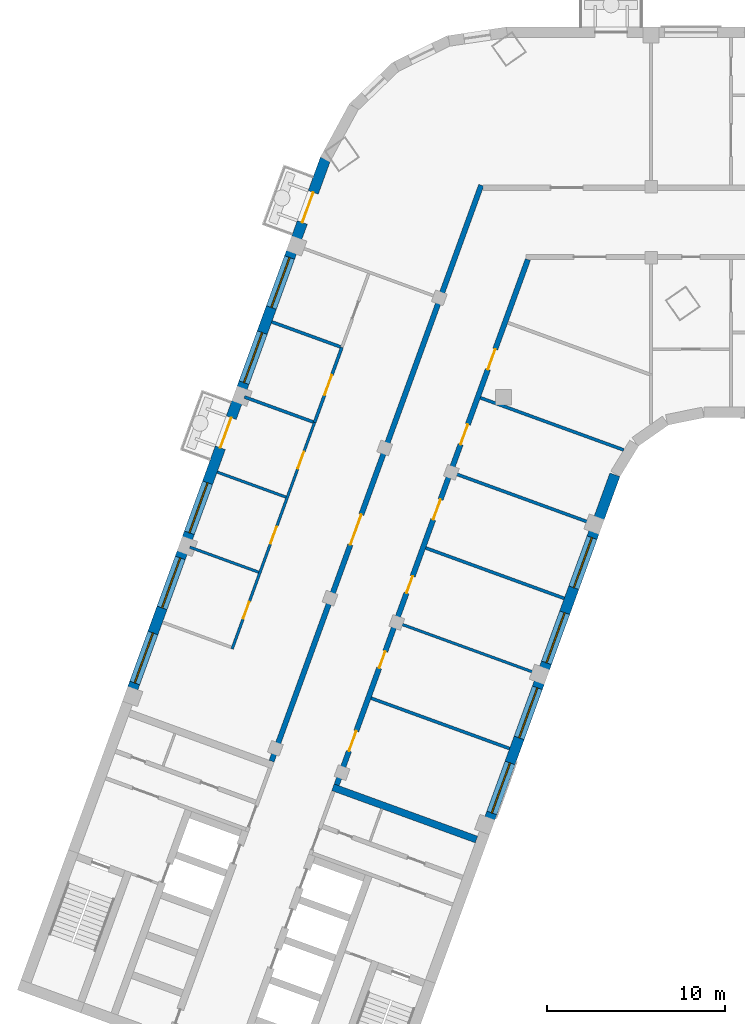
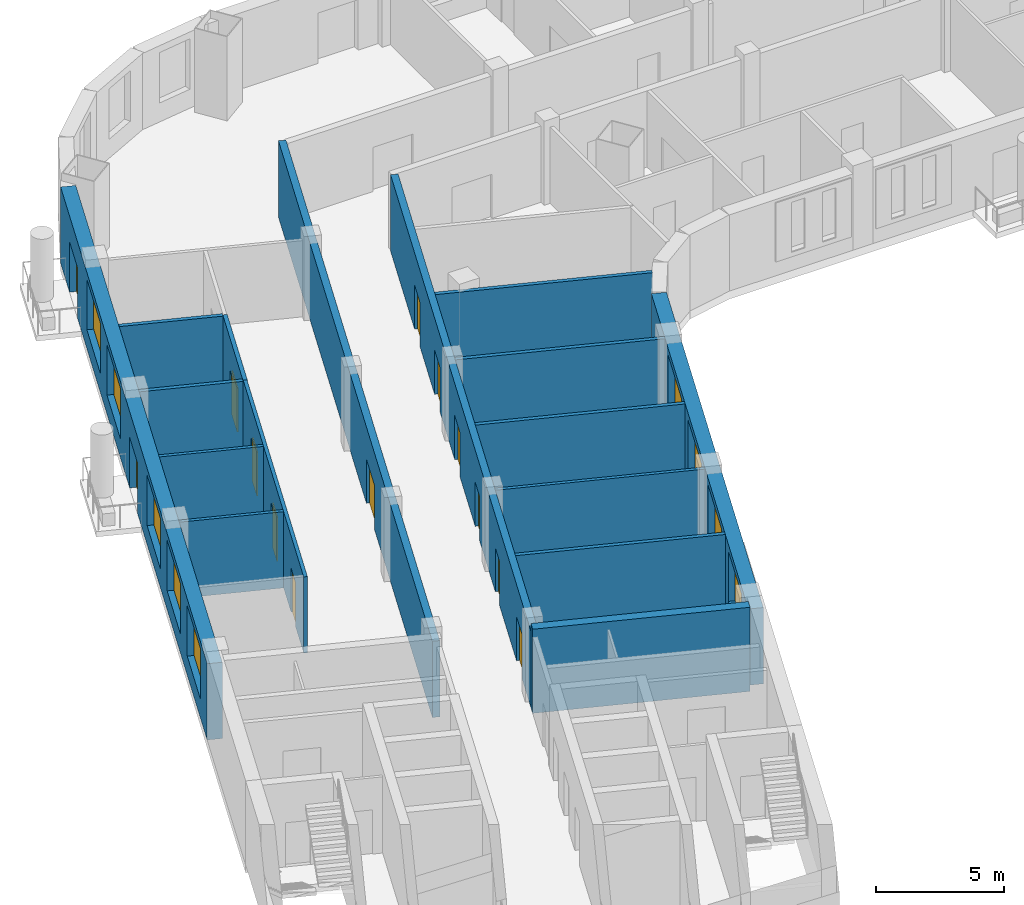
# One storey, part 3 of 15: 16 walls, 13 doors, 9 windows, 22 openings.
"""IFC4 building model written with IfcOpenShell, lengths in metres."""

from ifc_helpers import new_model, si_unit, direction, frame, frame_2d, origin, place, context, subcontext, project, spatial, rectangle, extrude, material, layer, layer_set, type_object, element, fill, save


model = new_model("IFC4")

# Units and contexts
model_context = context("Model", 3, precision=1e-05, world=origin(), true_north=direction((0.0, 1.0)))
body_context = subcontext(model_context, "Body", "Model", "MODEL_VIEW")
ifc_project = project(units=[si_unit("LENGTHUNIT", "METRE"), si_unit("AREAUNIT", "SQUARE_METRE"), si_unit("VOLUMEUNIT", "CUBIC_METRE"), si_unit("PLANEANGLEUNIT", "RADIAN"), si_unit("MASSUNIT", "GRAM", prefix="KILO")], contexts=[model_context])

# Site, building, storey
site_placement = place(None, origin())
site = spatial("IfcSite", under=ifc_project, at=site_placement, CompositionType="ELEMENT")
building_placement = place(site_placement, origin())
building = spatial("IfcBuilding", under=site, at=building_placement, Name="Skarvind Civic Tower", CompositionType="ELEMENT")
storey_placement = place(building_placement, frame((0.0, 0.0, 55.5)))
storey = spatial("IfcBuildingStorey", under=building, at=storey_placement, Name="L12", CompositionType="ELEMENT", Elevation=55.5)

# Wall
ifc_material_1 = material(Name="Acoustic gypsum board on steel studs", Category="steel")
ifc_layer_1 = layer(ifc_material_1, 0.175048828125)
ifc_layer_set_1 = layer_set([ifc_layer_1], Name="ACOUSTIC MEETING-ROOM PARTITION 175")
wall_type_1 = type_object("IfcWallType", Name="ACOUSTIC MEETING-ROOM PARTITION 175", PredefinedType="PARTITIONING", material=ifc_layer_set_1)
wall_1_placement = place(storey_placement, frame((31.35302734375, 118.166015625, 0.0), z_axis=(0.0, 0.0, 1.0), x_axis=(0.939750086456, -0.341862216405, 0.0)))
element("IfcWall", 1, at=wall_1_placement, inside=storey, type_object=wall_type_1, Name="Partition 12.005", PredefinedType="PARTITIONING", context=body_context, shape_type="SweptSolid", body=[
    extrude(rectangle(XDim=4.11279296875, YDim=0.175048828125, at=frame_2d((2.056396484375, 0.0))), origin(), (0.0, 0.0, 1.0), 3.625),
])

# Wall, opening, door
wall_2_placement = place(storey_placement, frame((36.839111328125, 120.958984375, 0.0), z_axis=(0.0, 0.0, 1.0), x_axis=(-0.341986974999, -0.939704692407, 0.0)))
wall_2 = element("IfcWall", 2, at=wall_2_placement, inside=storey, type_object=wall_type_1, Name="Partition 12.008", PredefinedType="PARTITIONING", context=body_context, shape_type="SweptSolid", body=[
    extrude(rectangle(XDim=4.500244140625, YDim=0.175048828125, at=frame_2d((2.25, 0.0))), origin(), (0.0, 0.0, 1.0), 3.625),
])
opening_1_placement = place(wall_2_placement, frame((1.650146484375, 0.0, 0.0)))
opening_1 = element("IfcOpeningElement", 3, at=opening_1_placement, cuts=wall_2, Name="Opening L12-D023", PredefinedType="OPENING", context=body_context, shape_type="SweptSolid", body=[
    extrude(rectangle(XDim=1.199951171875, YDim=2.10009765625, at=frame_2d((0.60009765625, 1.050048828125))), frame((0.0, 0.097412109375, 0.0), z_axis=(0.0, -1.0, 0.0), x_axis=(1.0, 0.0, 0.0)), (0.0, 0.0, 1.0), 0.195068359375),
])
ifc_material_2 = material(Name="Timber door leaf", Category="wood")
door_type_1 = type_object("IfcDoorType", Name="DOOR 1200X2100 DOUBLE TIMBER", OperationType="NOTDEFINED", PredefinedType="DOOR", material=ifc_material_2)
door_1_placement = place(opening_1_placement, origin())
door_1 = element("IfcDoor", 4, at=door_1_placement, inside=storey, type_object=door_type_1, Name="Door L12-D023", OperationType="DOUBLE_DOOR_SINGLE_SWING", OverallHeight=2.10009765625, OverallWidth=1.199951171875, PredefinedType="DOOR", context=body_context, shape_type="SweptSolid", body=[
    extrude(rectangle(XDim=1.199951171875, YDim=2.10009765625, at=frame_2d((0.60009765625, 1.050048828125))), frame((0.0, 0.02490234375, 0.0), z_axis=(0.0, -1.0, 0.0), x_axis=(1.0, 0.0, 0.0)), (0.0, 0.0, 1.0), 0.050048828125),
])
fill(opening_1, door_1)

# Walls
wall_3_placement = place(storey_placement, frame((36.757080078125, 120.989013671875, 0.0), z_axis=(0.0, 0.0, 1.0), x_axis=(-0.939750086456, 0.341862216405, 0.0)))
element("IfcWall", 5, at=wall_3_placement, inside=storey, type_object=wall_type_1, Name="Partition 12.009", PredefinedType="PARTITIONING", context=body_context, shape_type="SweptSolid", body=[
    extrude(rectangle(XDim=4.11279296875, YDim=0.175048828125, at=frame_2d((2.056396484375, 0.0))), origin(), (0.0, 0.0, 1.0), 3.625),
])
wall_4_placement = place(storey_placement, frame((38.48193359375, 101.2060546875, 0.0), z_axis=(0.0, 0.0, 1.0), x_axis=(0.939687752599, -0.342033518263, 0.0)))
element("IfcWall", 6, at=wall_4_placement, inside=storey, type_object=wall_type_1, Name="Partition 12.011", PredefinedType="PARTITIONING", context=body_context, shape_type="SweptSolid", body=[
    extrude(rectangle(XDim=8.30078125, YDim=0.175048828125, at=frame_2d((4.150390625, 0.0))), origin(), (0.0, 0.0, 1.0), 3.625),
])
wall_5_placement = place(storey_placement, frame((41.56103515625, 109.6630859375, 0.0), z_axis=(0.0, 0.0, 1.0), x_axis=(0.939673986983, -0.342071334939, 0.0)))
element("IfcWall", 7, at=wall_5_placement, inside=storey, type_object=wall_type_1, Name="Partition 12.013", PredefinedType="PARTITIONING", context=body_context, shape_type="SweptSolid", body=[
    extrude(rectangle(XDim=8.2998046875, YDim=0.175048828125, at=frame_2d((4.14990234375, 0.0))), origin(), (0.0, 0.0, 1.0), 3.625),
])
wall_6_placement = place(storey_placement, frame((43.10009765625, 113.89111328125, 0.0), z_axis=(0.0, 0.0, 1.0), x_axis=(0.939670544866, -0.342080790328, 0.0)))
element("IfcWall", 8, at=wall_6_placement, inside=storey, type_object=wall_type_1, Name="Partition 12.014", PredefinedType="PARTITIONING", context=body_context, shape_type="SweptSolid", body=[
    extrude(rectangle(XDim=8.299560546875, YDim=0.175048828125, at=frame_2d((4.14990234375, 0.0))), origin(), (0.0, 0.0, 1.0), 3.625),
])
wall_7_placement = place(storey_placement, frame((44.638916015625, 118.1201171875, 0.0), z_axis=(0.0, 0.0, 1.0), x_axis=(0.939669707102, -0.342083091593, 0.0)))
element("IfcWall", 9, at=wall_7_placement, inside=storey, type_object=wall_type_1, Name="Partition 12.015", PredefinedType="PARTITIONING", context=body_context, shape_type="SweptSolid", body=[
    extrude(rectangle(XDim=8.58935546875, YDim=0.175048828125, at=frame_2d((4.294677734375, 0.0))), origin(), (0.0, 0.0, 1.0), 3.625),
])

# Wall, opening, door
ifc_material_3 = material(Name="Fire-rated gypsum board on steel studs", Category="steel")
ifc_layer_2 = layer(ifc_material_3, 0.300048828125)
ifc_layer_set_2 = layer_set([ifc_layer_2], Name="CORRIDOR WALL 300")
wall_type_2 = type_object("IfcWallType", Name="CORRIDOR WALL 300", PredefinedType="PARTITIONING", material=ifc_layer_set_2)
wall_8_placement = place(storey_placement, frame((32.881103515625, 97.656982421875, 0.0), z_axis=(0.0, 0.0, 1.0), x_axis=(0.342017360004, 0.939693633828, 0.0)))
wall_8 = element("IfcWall", 10, at=wall_8_placement, inside=storey, type_object=wall_type_2, Name="Partition 12.006", PredefinedType="PARTITIONING", context=body_context, shape_type="SweptSolid", body=[
    extrude(rectangle(XDim=34.515625, YDim=0.300048828125, at=frame_2d((17.2578125, 0.0))), origin(), (0.0, 0.0, 1.0), 3.625),
])
opening_2_placement = place(wall_8_placement, frame((12.97509765625, 0.0, 0.0)))
opening_2 = element("IfcOpeningElement", 11, at=opening_2_placement, cuts=wall_8, Name="Opening L12-D025", PredefinedType="OPENING", context=body_context, shape_type="SweptSolid", body=[
    extrude(rectangle(XDim=1.800048828125, YDim=2.10009765625, at=frame_2d((0.89990234375, 1.050048828125))), frame((0.0, 0.159912109375, 0.0), z_axis=(0.0, -1.0, 0.0), x_axis=(1.0, 0.0, 0.0)), (0.0, 0.0, 1.0), 0.320068359375),
])
ifc_material_4 = material(Name="Fire-rated timber door leaf", Category="wood")
door_type_2 = type_object("IfcDoorType", Name="FD4 1800x2100", OperationType="NOTDEFINED", PredefinedType="DOOR", material=ifc_material_4)
door_2_placement = place(opening_2_placement, origin())
door_2 = element("IfcDoor", 12, at=door_2_placement, inside=storey, type_object=door_type_2, Name="Door L12-D025", OperationType="DOUBLE_DOOR_SINGLE_SWING", OverallHeight=2.10009765625, OverallWidth=1.800048828125, PredefinedType="DOOR", context=body_context, shape_type="SweptSolid", body=[
    extrude(rectangle(XDim=1.800048828125, YDim=2.10009765625, at=frame_2d((0.89990234375, 1.050048828125))), frame((0.0, 0.02490234375, 0.0), z_axis=(0.0, -1.0, 0.0), x_axis=(1.0, 0.0, 0.0)), (0.0, 0.0, 1.0), 0.050048828125),
])
fill(opening_2, door_2)

# Wall, openings, doors
wall_9_placement = place(storey_placement, frame((47.31396484375, 125.908935546875, 0.0), z_axis=(0.0, 0.0, 1.0), x_axis=(-0.342010770371, -0.939696032209, 0.0)))
wall_9 = element("IfcWall", 13, at=wall_9_placement, inside=storey, type_object=wall_type_2, Name="Partition 12.017", PredefinedType="PARTITIONING", context=body_context, shape_type="SweptSolid", body=[
    extrude(rectangle(XDim=31.484619140625, YDim=0.300048828125, at=frame_2d((15.7421875, 0.0))), origin(), (0.0, 0.0, 1.0), 3.625),
])
opening_3_placement = place(wall_9_placement, frame((28.25927734375, 0.0, 0.0)))
opening_3 = element("IfcOpeningElement", 14, at=opening_3_placement, cuts=wall_9, Name="Opening L12-D026", PredefinedType="OPENING", context=body_context, shape_type="SweptSolid", body=[
    extrude(rectangle(XDim=1.199951171875, YDim=2.10009765625, at=frame_2d((0.60009765625, 1.050048828125))), frame((0.0, 0.159912109375, 0.0), z_axis=(0.0, -1.0, 0.0), x_axis=(1.0, 0.0, 0.0)), (0.0, 0.0, 1.0), 0.320068359375),
])
opening_4_placement = place(wall_9_placement, frame((23.484375, 0.0, 0.0)))
opening_4 = element("IfcOpeningElement", 15, at=opening_4_placement, cuts=wall_9, Name="Opening L12-D027", PredefinedType="OPENING", context=body_context, shape_type="SweptSolid", body=[
    extrude(rectangle(XDim=1.0, YDim=2.10009765625, at=frame_2d((0.5, 1.050048828125))), frame((0.0, 0.159912109375, 0.0), z_axis=(0.0, -1.0, 0.0), x_axis=(1.0, 0.0, 0.0)), (0.0, 0.0, 1.0), 0.320068359375),
])
opening_5_placement = place(wall_9_placement, frame((18.984375, 0.0, 0.0)))
opening_5 = element("IfcOpeningElement", 16, at=opening_5_placement, cuts=wall_9, Name="Opening L12-D028", PredefinedType="OPENING", context=body_context, shape_type="SweptSolid", body=[
    extrude(rectangle(XDim=1.0, YDim=2.10009765625, at=frame_2d((0.5, 1.050048828125))), frame((0.0, 0.159912109375, 0.0), z_axis=(0.0, -1.0, 0.0), x_axis=(1.0, 0.0, 0.0)), (0.0, 0.0, 1.0), 0.320068359375),
])
opening_6_placement = place(wall_9_placement, frame((14.384521484375, 0.0, 0.0)))
opening_6 = element("IfcOpeningElement", 17, at=opening_6_placement, cuts=wall_9, Name="Opening L12-D029", PredefinedType="OPENING", context=body_context, shape_type="SweptSolid", body=[
    extrude(rectangle(XDim=1.199951171875, YDim=2.10009765625, at=frame_2d((0.60009765625, 1.050048828125))), frame((0.0, 0.159912109375, 0.0), z_axis=(0.0, -1.0, 0.0), x_axis=(1.0, 0.0, 0.0)), (0.0, 0.0, 1.0), 0.320068359375),
])
opening_7_placement = place(wall_9_placement, frame((9.884521484375, 0.0, 0.0)))
opening_7 = element("IfcOpeningElement", 18, at=opening_7_placement, cuts=wall_9, Name="Opening L12-D030", PredefinedType="OPENING", context=body_context, shape_type="SweptSolid", body=[
    extrude(rectangle(XDim=1.199951171875, YDim=2.10009765625, at=frame_2d((0.60009765625, 1.050048828125))), frame((0.0, 0.159912109375, 0.0), z_axis=(0.0, -1.0, 0.0), x_axis=(1.0, 0.0, 0.0)), (0.0, 0.0, 1.0), 0.320068359375),
])
opening_8_placement = place(wall_9_placement, frame((5.38427734375, 0.0, 0.0)))
opening_8 = element("IfcOpeningElement", 19, at=opening_8_placement, cuts=wall_9, Name="Opening L12-D031", PredefinedType="OPENING", context=body_context, shape_type="SweptSolid", body=[
    extrude(rectangle(XDim=1.199951171875, YDim=2.10009765625, at=frame_2d((0.60009765625, 1.050048828125))), frame((0.0, 0.159912109375, 0.0), z_axis=(0.0, -1.0, 0.0), x_axis=(1.0, 0.0, 0.0)), (0.0, 0.0, 1.0), 0.320068359375),
])
door_type_3 = type_object("IfcDoorType", Name="FD1 1000x2100", OperationType="NOTDEFINED", PredefinedType="DOOR", material=ifc_material_4)
door_3_placement = place(opening_4_placement, origin())
door_3 = element("IfcDoor", 20, at=door_3_placement, inside=storey, type_object=door_type_3, Name="Door L12-D027", OperationType="SINGLE_SWING_LEFT", OverallHeight=2.10009765625, OverallWidth=1.0, PredefinedType="DOOR", context=body_context, shape_type="SweptSolid", body=[
    extrude(rectangle(XDim=1.0, YDim=2.10009765625, at=frame_2d((0.5, 1.050048828125))), frame((0.0, 0.02490234375, 0.0), z_axis=(0.0, -1.0, 0.0), x_axis=(1.0, 0.0, 0.0)), (0.0, 0.0, 1.0), 0.050048828125),
])
fill(opening_4, door_3)
door_4_placement = place(opening_5_placement, origin())
door_4 = element("IfcDoor", 21, at=door_4_placement, inside=storey, type_object=door_type_3, Name="Door L12-D028", OperationType="SINGLE_SWING_LEFT", OverallHeight=2.10009765625, OverallWidth=1.0, PredefinedType="DOOR", context=body_context, shape_type="SweptSolid", body=[
    extrude(rectangle(XDim=1.0, YDim=2.10009765625, at=frame_2d((0.5, 1.050048828125))), frame((0.0, 0.02490234375, 0.0), z_axis=(0.0, -1.0, 0.0), x_axis=(1.0, 0.0, 0.0)), (0.0, 0.0, 1.0), 0.050048828125),
])
fill(opening_5, door_4)
door_type_4 = type_object("IfcDoorType", Name="FD6 1200x2100 DOUBLE", OperationType="NOTDEFINED", PredefinedType="DOOR", material=ifc_material_4)
door_5_placement = place(opening_3_placement, origin())
door_5 = element("IfcDoor", 22, at=door_5_placement, inside=storey, type_object=door_type_4, Name="Door L12-D026", OperationType="DOUBLE_DOOR_SINGLE_SWING", OverallHeight=2.10009765625, OverallWidth=1.199951171875, PredefinedType="DOOR", context=body_context, shape_type="SweptSolid", body=[
    extrude(rectangle(XDim=1.199951171875, YDim=2.10009765625, at=frame_2d((0.60009765625, 1.050048828125))), frame((0.0, 0.02490234375, 0.0), z_axis=(0.0, -1.0, 0.0), x_axis=(1.0, 0.0, 0.0)), (0.0, 0.0, 1.0), 0.050048828125),
])
fill(opening_3, door_5)
door_6_placement = place(opening_6_placement, origin())
door_6 = element("IfcDoor", 23, at=door_6_placement, inside=storey, type_object=door_type_4, Name="Door L12-D029", OperationType="DOUBLE_DOOR_SINGLE_SWING", OverallHeight=2.10009765625, OverallWidth=1.199951171875, PredefinedType="DOOR", context=body_context, shape_type="SweptSolid", body=[
    extrude(rectangle(XDim=1.199951171875, YDim=2.10009765625, at=frame_2d((0.60009765625, 1.050048828125))), frame((0.0, 0.02490234375, 0.0), z_axis=(0.0, -1.0, 0.0), x_axis=(1.0, 0.0, 0.0)), (0.0, 0.0, 1.0), 0.050048828125),
])
fill(opening_6, door_6)
door_7_placement = place(opening_7_placement, origin())
door_7 = element("IfcDoor", 24, at=door_7_placement, inside=storey, type_object=door_type_4, Name="Door L12-D030", OperationType="DOUBLE_DOOR_SINGLE_SWING", OverallHeight=2.10009765625, OverallWidth=1.199951171875, PredefinedType="DOOR", context=body_context, shape_type="SweptSolid", body=[
    extrude(rectangle(XDim=1.199951171875, YDim=2.10009765625, at=frame_2d((0.60009765625, 1.050048828125))), frame((0.0, 0.02490234375, 0.0), z_axis=(0.0, -1.0, 0.0), x_axis=(1.0, 0.0, 0.0)), (0.0, 0.0, 1.0), 0.050048828125),
])
fill(opening_7, door_7)
door_8_placement = place(opening_8_placement, origin())
door_8 = element("IfcDoor", 25, at=door_8_placement, inside=storey, type_object=door_type_4, Name="Door L12-D031", OperationType="DOUBLE_DOOR_SINGLE_SWING", OverallHeight=2.10009765625, OverallWidth=1.199951171875, PredefinedType="DOOR", context=body_context, shape_type="SweptSolid", body=[
    extrude(rectangle(XDim=1.199951171875, YDim=2.10009765625, at=frame_2d((0.60009765625, 1.050048828125))), frame((0.0, 0.02490234375, 0.0), z_axis=(0.0, -1.0, 0.0), x_axis=(1.0, 0.0, 0.0)), (0.0, 0.0, 1.0), 0.050048828125),
])
fill(opening_8, door_8)

# Walls
ifc_material_5 = material(Name="Concrete C80", Category="concrete")
ifc_layer_3 = layer(ifc_material_5, 0.39990234375)
ifc_layer_set_3 = layer_set([ifc_layer_3], Name="Core wall 400 C80")
wall_type_3 = type_object("IfcWallType", Name="Core wall 400 C80", PredefinedType="SHEAR", material=ifc_layer_set_3)
wall_10_placement = place(storey_placement, frame((44.417724609375, 93.2451171875, 0.0), z_axis=(0.0, 0.0, 1.0), x_axis=(-0.93969060187, 0.342025690201, 0.0)))
element("IfcWall", 26, at=wall_10_placement, inside=storey, type_object=wall_type_3, Name="Core wall C2 south inner face L12", PredefinedType="SHEAR", context=body_context, shape_type="SweptSolid", body=[
    extrude(rectangle(XDim=8.599853515625, YDim=0.39990234375, at=frame_2d((4.2998046875, 0.0))), origin(), (0.0, 0.0, 1.0), 4.0),
])
ifc_material_6 = material(Name="Plasterboard partition on steel studs", Category="steel")
ifc_layer_4 = layer(ifc_material_6, 0.14990234375)
ifc_layer_set_4 = layer_set([ifc_layer_4], Name="PARTITION 150")
wall_type_4 = type_object("IfcWallType", Name="PARTITION 150", PredefinedType="PARTITIONING", material=ifc_layer_set_4)
wall_11_placement = place(storey_placement, frame((28.27490234375, 109.708984375, 0.0), z_axis=(0.0, 0.0, 1.0), x_axis=(0.939791695678, -0.341747814529, 0.0)))
element("IfcWall", 27, at=wall_11_placement, inside=storey, type_object=wall_type_4, Name="Partition 12.002", PredefinedType="PARTITIONING", context=body_context, shape_type="SweptSolid", body=[
    extrude(rectangle(XDim=4.12548828125, YDim=0.14990234375, at=frame_2d((2.062744140625, 0.0))), origin(), (0.0, 0.0, 1.0), 3.625),
])
wall_12_placement = place(storey_placement, frame((29.81396484375, 113.93798828125, 0.0), z_axis=(0.0, 0.0, 1.0), x_axis=(0.93970873465, -0.341975867603, 0.0)))
element("IfcWall", 28, at=wall_12_placement, inside=storey, type_object=wall_type_4, Name="Partition 12.003", PredefinedType="PARTITIONING", context=body_context, shape_type="SweptSolid", body=[
    extrude(rectangle(XDim=4.125732421875, YDim=0.14990234375, at=frame_2d((2.06298828125, 0.0))), origin(), (0.0, 0.0, 1.0), 3.625),
])

# Wall, openings, doors
wall_13_placement = place(storey_placement, frame((35.300048828125, 116.72998046875, 0.0), z_axis=(0.0, 0.0, 1.0), x_axis=(-0.342040522051, -0.939685203286, 0.0)))
wall_13 = element("IfcWall", 29, at=wall_13_placement, inside=storey, type_object=wall_type_4, Name="Partition 12.004", PredefinedType="PARTITIONING", context=body_context, shape_type="SweptSolid", body=[
    extrude(rectangle(XDim=13.57470703125, YDim=0.14990234375, at=frame_2d((6.787353515625, 0.0))), origin(), (0.0, 0.0, 1.0), 3.625),
])
opening_9_placement = place(wall_13_placement, frame((10.75, 0.0, 0.0)))
opening_9 = element("IfcOpeningElement", 30, at=opening_9_placement, cuts=wall_13, Name="Opening L12-D020", PredefinedType="OPENING", context=body_context, shape_type="SweptSolid", body=[
    extrude(rectangle(XDim=1.0, YDim=2.10009765625, at=frame_2d((0.5, 1.050048828125))), frame((0.0, 0.0849609375, 0.0), z_axis=(0.0, -1.0, 0.0), x_axis=(1.0, 0.0, 0.0)), (0.0, 0.0, 1.0), 0.169921875),
])
opening_10_placement = place(wall_13_placement, frame((6.25, 0.0, 0.0)))
opening_10 = element("IfcOpeningElement", 31, at=opening_10_placement, cuts=wall_13, Name="Opening L12-D021", PredefinedType="OPENING", context=body_context, shape_type="SweptSolid", body=[
    extrude(rectangle(XDim=1.0, YDim=2.10009765625, at=frame_2d((0.5, 1.050048828125))), frame((0.0, 0.0849609375, 0.0), z_axis=(0.0, -1.0, 0.0), x_axis=(1.0, 0.0, 0.0)), (0.0, 0.0, 1.0), 0.169921875),
])
opening_11_placement = place(wall_13_placement, frame((1.750244140625, 0.0, 0.0)))
opening_11 = element("IfcOpeningElement", 32, at=opening_11_placement, cuts=wall_13, Name="Opening L12-D022", PredefinedType="OPENING", context=body_context, shape_type="SweptSolid", body=[
    extrude(rectangle(XDim=1.0, YDim=2.10009765625, at=frame_2d((0.5, 1.050048828125))), frame((0.0, 0.0849609375, 0.0), z_axis=(0.0, -1.0, 0.0), x_axis=(1.0, 0.0, 0.0)), (0.0, 0.0, 1.0), 0.169921875),
])
door_type_5 = type_object("IfcDoorType", Name="D1 1000x2100", OperationType="NOTDEFINED", PredefinedType="DOOR", material=ifc_material_2)
door_9_placement = place(opening_9_placement, origin())
door_9 = element("IfcDoor", 33, at=door_9_placement, inside=storey, type_object=door_type_5, Name="Door L12-D020", OperationType="SINGLE_SWING_LEFT", OverallHeight=2.10009765625, OverallWidth=1.0, PredefinedType="DOOR", context=body_context, shape_type="SweptSolid", body=[
    extrude(rectangle(XDim=1.0, YDim=2.10009765625, at=frame_2d((0.5, 1.050048828125))), frame((0.0, 0.02490234375, 0.0), z_axis=(0.0, -1.0, 0.0), x_axis=(1.0, 0.0, 0.0)), (0.0, 0.0, 1.0), 0.050048828125),
])
fill(opening_9, door_9)
door_10_placement = place(opening_10_placement, origin())
door_10 = element("IfcDoor", 34, at=door_10_placement, inside=storey, type_object=door_type_5, Name="Door L12-D021", OperationType="SINGLE_SWING_LEFT", OverallHeight=2.10009765625, OverallWidth=1.0, PredefinedType="DOOR", context=body_context, shape_type="SweptSolid", body=[
    extrude(rectangle(XDim=1.0, YDim=2.10009765625, at=frame_2d((0.5, 1.050048828125))), frame((0.0, 0.02490234375, 0.0), z_axis=(0.0, -1.0, 0.0), x_axis=(1.0, 0.0, 0.0)), (0.0, 0.0, 1.0), 0.050048828125),
])
fill(opening_10, door_10)
door_11_placement = place(opening_11_placement, origin())
door_11 = element("IfcDoor", 35, at=door_11_placement, inside=storey, type_object=door_type_5, Name="Door L12-D022", OperationType="SINGLE_SWING_LEFT", OverallHeight=2.10009765625, OverallWidth=1.0, PredefinedType="DOOR", context=body_context, shape_type="SweptSolid", body=[
    extrude(rectangle(XDim=1.0, YDim=2.10009765625, at=frame_2d((0.5, 1.050048828125))), frame((0.0, 0.02490234375, 0.0), z_axis=(0.0, -1.0, 0.0), x_axis=(1.0, 0.0, 0.0)), (0.0, 0.0, 1.0), 0.050048828125),
])
fill(opening_11, door_11)

# Wall
wall_14_placement = place(storey_placement, frame((40.02099609375, 105.43408203125, 0.0), z_axis=(0.0, 0.0, 1.0), x_axis=(0.939687752599, -0.342033518263, 0.0)))
element("IfcWall", 36, at=wall_14_placement, inside=storey, type_object=wall_type_4, Name="Partition 12.012", PredefinedType="PARTITIONING", context=body_context, shape_type="SweptSolid", body=[
    extrude(rectangle(XDim=8.30078125, YDim=0.14990234375, at=frame_2d((4.150390625, 0.0))), origin(), (0.0, 0.0, 1.0), 3.625),
])

# Wall, openings, windows
ifc_material_7 = material(Name="Limestone masonry cladding on insulated backing", Category="masonry")
ifc_layer_5 = layer(ifc_material_7, 0.60009765625)
ifc_layer_set_5 = layer_set([ifc_layer_5], Name="WX1 STONE FACADE WALL 600")
wall_type_5 = type_object("IfcWallType", Name="WX1 STONE FACADE WALL 600", PredefinedType="SOLIDWALL", material=ifc_layer_set_5)
wall_15_placement = place(storey_placement, frame((52.212158203125, 113.78271484375, 0.0), z_axis=(0.0, 0.0, 1.0), x_axis=(-0.34202521188, -0.939690775968, 0.0)))
wall_15 = element("IfcWall", 37, at=wall_15_placement, inside=storey, type_object=wall_type_5, Name="STONE FACADE WALL", PredefinedType="SOLIDWALL", context=body_context, shape_type="SweptSolid", body=[
    extrude(rectangle(XDim=21.744873046875, YDim=0.60009765625, at=frame_2d((10.87255859375, 0.0))), origin(), (0.0, 0.0, 1.0), 3.625),
])
opening_12_placement = place(wall_15_placement, frame((3.764892578125, 0.0, 0.89990234375)))
opening_12 = element("IfcOpeningElement", 38, at=opening_12_placement, cuts=wall_15, Name="Opening WN1", PredefinedType="OPENING", context=body_context, shape_type="SweptSolid", body=[
    extrude(rectangle(XDim=3.0, YDim=2.39990234375, at=frame_2d((1.5, 1.199951171875))), frame((0.0, 0.31005859375, 0.0), z_axis=(0.0, -1.0, 0.0), x_axis=(1.0, 0.0, 0.0)), (0.0, 0.0, 1.0), 0.6201171875),
])
opening_13_placement = place(wall_15_placement, frame((8.264892578125, 0.0, 0.89990234375)))
opening_13 = element("IfcOpeningElement", 39, at=opening_13_placement, cuts=wall_15, Name="Opening WN1", PredefinedType="OPENING", context=body_context, shape_type="SweptSolid", body=[
    extrude(rectangle(XDim=3.0, YDim=2.39990234375, at=frame_2d((1.5, 1.199951171875))), frame((0.0, 0.31005859375, 0.0), z_axis=(0.0, -1.0, 0.0), x_axis=(1.0, 0.0, 0.0)), (0.0, 0.0, 1.0), 0.6201171875),
])
opening_14_placement = place(wall_15_placement, frame((12.764892578125, 0.0, 0.89990234375)))
opening_14 = element("IfcOpeningElement", 40, at=opening_14_placement, cuts=wall_15, Name="Opening WN1", PredefinedType="OPENING", context=body_context, shape_type="SweptSolid", body=[
    extrude(rectangle(XDim=3.0, YDim=2.39990234375, at=frame_2d((1.5, 1.199951171875))), frame((0.0, 0.31005859375, 0.0), z_axis=(0.0, -1.0, 0.0), x_axis=(1.0, 0.0, 0.0)), (0.0, 0.0, 1.0), 0.6201171875),
])
opening_15_placement = place(wall_15_placement, frame((17.264892578125, 0.0, 0.89990234375)))
opening_15 = element("IfcOpeningElement", 41, at=opening_15_placement, cuts=wall_15, Name="Opening WN1", PredefinedType="OPENING", context=body_context, shape_type="SweptSolid", body=[
    extrude(rectangle(XDim=3.0, YDim=2.39990234375, at=frame_2d((1.5, 1.199951171875))), frame((0.0, 0.31005859375, 0.0), z_axis=(0.0, -1.0, 0.0), x_axis=(1.0, 0.0, 0.0)), (0.0, 0.0, 1.0), 0.6201171875),
])
ifc_material_8 = material(Name="Timber frame, double glazing, timber-lined reveal", Category="wood")
window_type = type_object("IfcWindowType", Name="WN1 PUNCHED STONE WINDOW 3000 x 2400", PartitioningType="SINGLE_PANEL", PredefinedType="WINDOW", material=ifc_material_8)
window_1_placement = place(opening_12_placement, origin())
window_1 = element("IfcWindow", 42, at=window_1_placement, inside=storey, type_object=window_type, Name="WN1 WINDOW", OverallHeight=2.39990234375, OverallWidth=3.0, PartitioningType="SINGLE_PANEL", PredefinedType="WINDOW", context=body_context, shape_type="SweptSolid", body=[
    extrude(rectangle(XDim=3.0, YDim=2.39990234375, at=frame_2d((1.5, 1.199951171875))), frame((0.0, 0.030029296875, 0.0), z_axis=(0.0, -1.0, 0.0), x_axis=(1.0, 0.0, 0.0)), (0.0, 0.0, 1.0), 0.06005859375),
])
fill(opening_12, window_1)
window_2_placement = place(opening_13_placement, origin())
window_2 = element("IfcWindow", 43, at=window_2_placement, inside=storey, type_object=window_type, Name="WN1 WINDOW", OverallHeight=2.39990234375, OverallWidth=3.0, PartitioningType="SINGLE_PANEL", PredefinedType="WINDOW", context=body_context, shape_type="SweptSolid", body=[
    extrude(rectangle(XDim=3.0, YDim=2.39990234375, at=frame_2d((1.5, 1.199951171875))), frame((0.0, 0.030029296875, 0.0), z_axis=(0.0, -1.0, 0.0), x_axis=(1.0, 0.0, 0.0)), (0.0, 0.0, 1.0), 0.06005859375),
])
fill(opening_13, window_2)
window_3_placement = place(opening_14_placement, origin())
window_3 = element("IfcWindow", 44, at=window_3_placement, inside=storey, type_object=window_type, Name="WN1 WINDOW", OverallHeight=2.39990234375, OverallWidth=3.0, PartitioningType="SINGLE_PANEL", PredefinedType="WINDOW", context=body_context, shape_type="SweptSolid", body=[
    extrude(rectangle(XDim=3.0, YDim=2.39990234375, at=frame_2d((1.5, 1.199951171875))), frame((0.0, 0.030029296875, 0.0), z_axis=(0.0, -1.0, 0.0), x_axis=(1.0, 0.0, 0.0)), (0.0, 0.0, 1.0), 0.06005859375),
])
fill(opening_14, window_3)
window_4_placement = place(opening_15_placement, origin())
window_4 = element("IfcWindow", 45, at=window_4_placement, inside=storey, type_object=window_type, Name="WN1 WINDOW", OverallHeight=2.39990234375, OverallWidth=3.0, PartitioningType="SINGLE_PANEL", PredefinedType="WINDOW", context=body_context, shape_type="SweptSolid", body=[
    extrude(rectangle(XDim=3.0, YDim=2.39990234375, at=frame_2d((1.5, 1.199951171875))), frame((0.0, 0.030029296875, 0.0), z_axis=(0.0, -1.0, 0.0), x_axis=(1.0, 0.0, 0.0)), (0.0, 0.0, 1.0), 0.06005859375),
])
fill(opening_15, window_4)

# Wall, openings, doors, windows
wall_16_placement = place(storey_placement, frame((24.66552734375, 100.668701171875, 0.0), z_axis=(0.0, 0.0, 1.0), x_axis=(0.34201964167, 0.939692803373, 0.0)))
wall_16 = element("IfcWall", 46, at=wall_16_placement, inside=storey, type_object=wall_type_5, Name="STONE FACADE WALL", PredefinedType="SOLIDWALL", context=body_context, shape_type="SweptSolid", body=[
    extrude(rectangle(XDim=32.88427734375, YDim=0.60009765625, at=frame_2d((16.442138671875, 0.0))), origin(), (0.0, 0.0, 1.0), 3.625),
])
opening_16_placement = place(wall_16_placement, frame((1.47998046875, 0.0, 0.89990234375)))
opening_16 = element("IfcOpeningElement", 47, at=opening_16_placement, cuts=wall_16, Name="Opening WN1", PredefinedType="OPENING", context=body_context, shape_type="SweptSolid", body=[
    extrude(rectangle(XDim=3.0, YDim=2.39990234375, at=frame_2d((1.5, 1.199951171875))), frame((0.0, 0.31005859375, 0.0), z_axis=(0.0, -1.0, 0.0), x_axis=(1.0, 0.0, 0.0)), (0.0, 0.0, 1.0), 0.6201171875),
])
opening_17_placement = place(wall_16_placement, frame((5.97998046875, 0.0, 0.89990234375)))
opening_17 = element("IfcOpeningElement", 48, at=opening_17_placement, cuts=wall_16, Name="Opening WN1", PredefinedType="OPENING", context=body_context, shape_type="SweptSolid", body=[
    extrude(rectangle(XDim=3.0, YDim=2.39990234375, at=frame_2d((1.5, 1.199951171875))), frame((0.0, 0.31005859375, 0.0), z_axis=(0.0, -1.0, 0.0), x_axis=(1.0, 0.0, 0.0)), (0.0, 0.0, 1.0), 0.6201171875),
])
opening_18_placement = place(wall_16_placement, frame((10.47998046875, 0.0, 0.89990234375)))
opening_18 = element("IfcOpeningElement", 49, at=opening_18_placement, cuts=wall_16, Name="Opening WN1", PredefinedType="OPENING", context=body_context, shape_type="SweptSolid", body=[
    extrude(rectangle(XDim=3.0, YDim=2.39990234375, at=frame_2d((1.5, 1.199951171875))), frame((0.0, 0.31005859375, 0.0), z_axis=(0.0, -1.0, 0.0), x_axis=(1.0, 0.0, 0.0)), (0.0, 0.0, 1.0), 0.6201171875),
])
opening_19_placement = place(wall_16_placement, frame((15.580078125, 0.0, 0.0)))
opening_19 = element("IfcOpeningElement", 50, at=opening_19_placement, cuts=wall_16, Name="Opening DX3", PredefinedType="OPENING", context=body_context, shape_type="SweptSolid", body=[
    extrude(rectangle(XDim=1.800048828125, YDim=2.39990234375, at=frame_2d((0.89990234375, 1.199951171875))), frame((0.0, 0.31005859375, 0.0), z_axis=(0.0, -1.0, 0.0), x_axis=(1.0, 0.0, 0.0)), (0.0, 0.0, 1.0), 0.6201171875),
])
opening_20_placement = place(wall_16_placement, frame((19.47998046875, 0.0, 0.89990234375)))
opening_20 = element("IfcOpeningElement", 51, at=opening_20_placement, cuts=wall_16, Name="Opening WN1", PredefinedType="OPENING", context=body_context, shape_type="SweptSolid", body=[
    extrude(rectangle(XDim=3.0, YDim=2.39990234375, at=frame_2d((1.5, 1.199951171875))), frame((0.0, 0.31005859375, 0.0), z_axis=(0.0, -1.0, 0.0), x_axis=(1.0, 0.0, 0.0)), (0.0, 0.0, 1.0), 0.6201171875),
])
opening_21_placement = place(wall_16_placement, frame((23.97998046875, 0.0, 0.89990234375)))
opening_21 = element("IfcOpeningElement", 52, at=opening_21_placement, cuts=wall_16, Name="Opening WN1", PredefinedType="OPENING", context=body_context, shape_type="SweptSolid", body=[
    extrude(rectangle(XDim=3.0, YDim=2.39990234375, at=frame_2d((1.5, 1.199951171875))), frame((0.0, 0.31005859375, 0.0), z_axis=(0.0, -1.0, 0.0), x_axis=(1.0, 0.0, 0.0)), (0.0, 0.0, 1.0), 0.6201171875),
])
opening_22_placement = place(wall_16_placement, frame((29.080078125, 0.0, 0.0)))
opening_22 = element("IfcOpeningElement", 53, at=opening_22_placement, cuts=wall_16, Name="Opening DX3", PredefinedType="OPENING", context=body_context, shape_type="SweptSolid", body=[
    extrude(rectangle(XDim=1.800048828125, YDim=2.39990234375, at=frame_2d((0.89990234375, 1.199951171875))), frame((0.0, 0.31005859375, 0.0), z_axis=(0.0, -1.0, 0.0), x_axis=(1.0, 0.0, 0.0)), (0.0, 0.0, 1.0), 0.6201171875),
])
ifc_material_9 = material(Name="Timber and glass doorset", Category="wood")
door_type_6 = type_object("IfcDoorType", Name="DX3 TERRACE DOORS 1800 x 2400", OperationType="NOTDEFINED", PredefinedType="DOOR", material=ifc_material_9)
door_12_placement = place(opening_19_placement, origin())
door_12 = element("IfcDoor", 54, at=door_12_placement, inside=storey, type_object=door_type_6, Name="TERRACE DOORS", OperationType="DOUBLE_DOOR_SINGLE_SWING", OverallHeight=2.39990234375, OverallWidth=1.800048828125, PredefinedType="DOOR", context=body_context, shape_type="SweptSolid", body=[
    extrude(rectangle(XDim=1.800048828125, YDim=2.39990234375, at=frame_2d((0.89990234375, 1.199951171875))), frame((0.0, 0.02490234375, 0.0), z_axis=(0.0, -1.0, 0.0), x_axis=(1.0, 0.0, 0.0)), (0.0, 0.0, 1.0), 0.050048828125),
])
fill(opening_19, door_12)
door_13_placement = place(opening_22_placement, origin())
door_13 = element("IfcDoor", 55, at=door_13_placement, inside=storey, type_object=door_type_6, Name="TERRACE DOORS", OperationType="DOUBLE_DOOR_SINGLE_SWING", OverallHeight=2.39990234375, OverallWidth=1.800048828125, PredefinedType="DOOR", context=body_context, shape_type="SweptSolid", body=[
    extrude(rectangle(XDim=1.800048828125, YDim=2.39990234375, at=frame_2d((0.89990234375, 1.199951171875))), frame((0.0, 0.02490234375, 0.0), z_axis=(0.0, -1.0, 0.0), x_axis=(1.0, 0.0, 0.0)), (0.0, 0.0, 1.0), 0.050048828125),
])
fill(opening_22, door_13)
window_5_placement = place(opening_16_placement, origin())
window_5 = element("IfcWindow", 56, at=window_5_placement, inside=storey, type_object=window_type, Name="WN1 WINDOW", OverallHeight=2.39990234375, OverallWidth=3.0, PartitioningType="SINGLE_PANEL", PredefinedType="WINDOW", context=body_context, shape_type="SweptSolid", body=[
    extrude(rectangle(XDim=3.0, YDim=2.39990234375, at=frame_2d((1.5, 1.199951171875))), frame((0.0, 0.030029296875, 0.0), z_axis=(0.0, -1.0, 0.0), x_axis=(1.0, 0.0, 0.0)), (0.0, 0.0, 1.0), 0.06005859375),
])
fill(opening_16, window_5)
window_6_placement = place(opening_17_placement, origin())
window_6 = element("IfcWindow", 57, at=window_6_placement, inside=storey, type_object=window_type, Name="WN1 WINDOW", OverallHeight=2.39990234375, OverallWidth=3.0, PartitioningType="SINGLE_PANEL", PredefinedType="WINDOW", context=body_context, shape_type="SweptSolid", body=[
    extrude(rectangle(XDim=3.0, YDim=2.39990234375, at=frame_2d((1.5, 1.199951171875))), frame((0.0, 0.030029296875, 0.0), z_axis=(0.0, -1.0, 0.0), x_axis=(1.0, 0.0, 0.0)), (0.0, 0.0, 1.0), 0.06005859375),
])
fill(opening_17, window_6)
window_7_placement = place(opening_18_placement, origin())
window_7 = element("IfcWindow", 58, at=window_7_placement, inside=storey, type_object=window_type, Name="WN1 WINDOW", OverallHeight=2.39990234375, OverallWidth=3.0, PartitioningType="SINGLE_PANEL", PredefinedType="WINDOW", context=body_context, shape_type="SweptSolid", body=[
    extrude(rectangle(XDim=3.0, YDim=2.39990234375, at=frame_2d((1.5, 1.199951171875))), frame((0.0, 0.030029296875, 0.0), z_axis=(0.0, -1.0, 0.0), x_axis=(1.0, 0.0, 0.0)), (0.0, 0.0, 1.0), 0.06005859375),
])
fill(opening_18, window_7)
window_8_placement = place(opening_20_placement, origin())
window_8 = element("IfcWindow", 59, at=window_8_placement, inside=storey, type_object=window_type, Name="WN1 WINDOW", OverallHeight=2.39990234375, OverallWidth=3.0, PartitioningType="SINGLE_PANEL", PredefinedType="WINDOW", context=body_context, shape_type="SweptSolid", body=[
    extrude(rectangle(XDim=3.0, YDim=2.39990234375, at=frame_2d((1.5, 1.199951171875))), frame((0.0, 0.030029296875, 0.0), z_axis=(0.0, -1.0, 0.0), x_axis=(1.0, 0.0, 0.0)), (0.0, 0.0, 1.0), 0.06005859375),
])
fill(opening_20, window_8)
window_9_placement = place(opening_21_placement, origin())
window_9 = element("IfcWindow", 60, at=window_9_placement, inside=storey, type_object=window_type, Name="WN1 WINDOW", OverallHeight=2.39990234375, OverallWidth=3.0, PartitioningType="SINGLE_PANEL", PredefinedType="WINDOW", context=body_context, shape_type="SweptSolid", body=[
    extrude(rectangle(XDim=3.0, YDim=2.39990234375, at=frame_2d((1.5, 1.199951171875))), frame((0.0, 0.030029296875, 0.0), z_axis=(0.0, -1.0, 0.0), x_axis=(1.0, 0.0, 0.0)), (0.0, 0.0, 1.0), 0.06005859375),
])
fill(opening_21, window_9)

save(model, "model.ifc")
